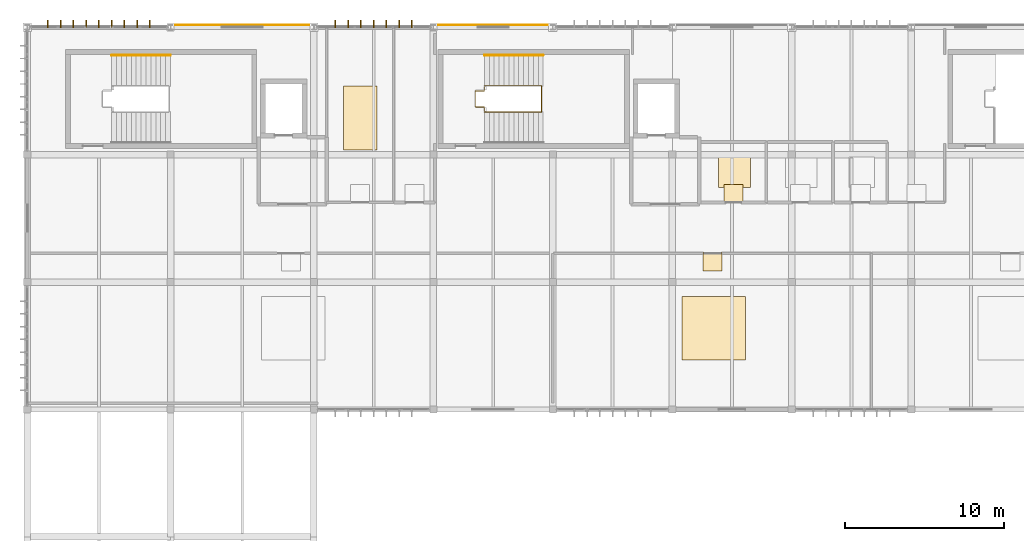
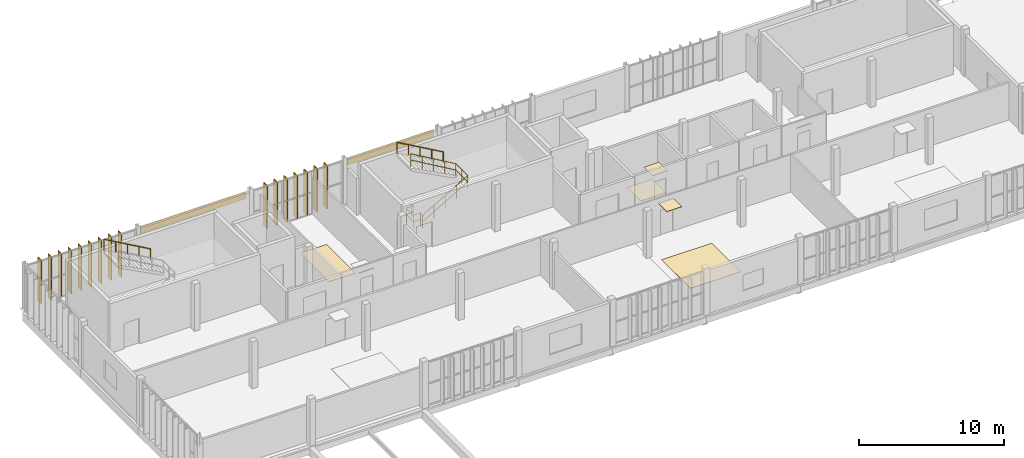
# One storey, part 24 of 26: 16 shading devices, 7 coverings, 4 railings.
"""IFC4 building model written with IfcOpenShell, lengths in metres."""

import ifcopenshell
import ifcopenshell.guid

model = None  # the IFC model being written
_history = None  # IfcOwnerHistory: only IFC2X3 demands one
_inside = {}  # id of a spatial element -> (the spatial element, [elements in it])
_under = {}  # id of a project, library or spatial element -> (it, [spatial elements below it])
_declared = {}  # id of a project -> (the project, [libraries it declares])
_typed = {}  # id of a type object -> (the type object, [elements of that type])
_made_of = {}  # id of a material, layer set ... -> (it, [elements and type objects made of it])


def new_model(schema):
    """Start an empty IFC model of exactly this schema.

    Asked for "IFC4X3", IfcOpenShell would pick the latest addendum, in which some entities
    have other attributes; the version numbers below select the first issue.
    IFC2X3 requires an IfcOwnerHistory on every rooted entity: one is made here for all.
    """
    global model, _history
    if schema == "IFC4X3":
        model = ifcopenshell.file(schema_version=(4, 3, 0, 0))
    else:
        model = ifcopenshell.file(schema=schema)
    _inside.clear()
    _under.clear()
    _declared.clear()
    _typed.clear()
    _made_of.clear()
    _history = None
    if model.schema == "IFC2X3":
        org = make("IfcOrganization", Name="unknown")
        user = make(
            "IfcPersonAndOrganization",
            ThePerson=make("IfcPerson", FamilyName="unknown"),
            TheOrganization=org,
        )
        app = make(
            "IfcApplication",
            ApplicationDeveloper=org,
            Version="unknown",
            ApplicationFullName="unknown",
            ApplicationIdentifier="unknown",
        )
        _history = make(
            "IfcOwnerHistory",
            OwningUser=user,
            OwningApplication=app,
            ChangeAction="ADDED",
            CreationDate=0,
        )
    return model


def make(cls, **values):
    """One entity of the class cls with the attributes given. An attribute that is None is left unset."""
    return model.create_entity(
        cls, **{name: value for name, value in values.items() if value is not None}
    )


def rooted(cls, **values):
    """An entity with a GlobalId (a new one), such as an element, a storey or a relation."""
    return make(cls, GlobalId=ifcopenshell.guid.new(), OwnerHistory=_history, **values)


def si_unit(unit_type, name, prefix=None):
    """IfcSIUnit, for example si_unit("LENGTHUNIT", "METRE", prefix="MILLI")."""
    return make("IfcSIUnit", UnitType=unit_type, Prefix=prefix, Name=name)


def assignment(units):
    """IfcUnitAssignment: the units of a project."""
    return None if units is None else make("IfcUnitAssignment", Units=units)


def point(xyz):
    """IfcCartesianPoint."""
    return None if xyz is None else make("IfcCartesianPoint", Coordinates=xyz)


def direction(xyz):
    """IfcDirection."""
    return None if xyz is None else make("IfcDirection", DirectionRatios=xyz)


def frame(location, z_axis=None, x_axis=None):
    """IfcAxis2Placement3D, a coordinate frame: its origin and axes. An axis left out is left unset."""
    return make(
        "IfcAxis2Placement3D",
        Location=point(location),
        Axis=direction(z_axis),
        RefDirection=direction(x_axis),
    )


def frame_2d(location, x_axis=None):
    """IfcAxis2Placement2D, a coordinate frame in the plane: its origin and x axis."""
    return make(
        "IfcAxis2Placement2D", Location=point(location), RefDirection=direction(x_axis)
    )


def origin():
    """The frame at (0, 0, 0) with its axes left unset."""
    return frame((0.0, 0.0, 0.0))


def origin_2d():
    """The frame at (0, 0) in the plane with its x axis left unset."""
    return frame_2d((0.0, 0.0))


def place(relative_to, where):
    """IfcLocalPlacement: puts the frame where relative to a parent placement (None: the world)."""
    return make(
        "IfcLocalPlacement", PlacementRelTo=relative_to, RelativePlacement=where
    )


def context(
    kind, dimensions, precision=None, world=None, true_north=None, identifier=None
):
    """IfcGeometricRepresentationContext, for example the 3D "Model" context."""
    return make(
        "IfcGeometricRepresentationContext",
        ContextIdentifier=identifier,
        ContextType=kind,
        CoordinateSpaceDimension=dimensions,
        Precision=precision,
        WorldCoordinateSystem=world,
        TrueNorth=true_north,
    )


def subcontext(parent, identifier, kind, view, scale=None):
    """IfcGeometricRepresentationSubContext, for example "Body" below "Model"."""
    return make(
        "IfcGeometricRepresentationSubContext",
        ContextIdentifier=identifier,
        ContextType=kind,
        ParentContext=parent,
        TargetScale=scale,
        TargetView=view,
    )


def project(units=None, contexts=None):
    """IfcProject with its units and contexts."""
    return rooted(
        "IfcProject",
        Name="project",
        RepresentationContexts=contexts,
        UnitsInContext=assignment(units),
    )


def spatial(cls, under=None, at=None, **own):
    """A site, building, storey or space (cls), placed at a placement, below another one or the project."""
    s = rooted(cls, ObjectPlacement=at, **own)
    if under is not None:
        _under.setdefault(under.id(), (under, []))[1].append(s)
    return s


def profile(cls, at=None, kind="AREA", **sizes):
    """A parametric profile (cls). Its sizes go by their IFC names, for example OverallWidth=200.0."""
    return make(cls, ProfileType=kind, Position=at, **sizes)


def rectangle(**sizes):
    """IfcRectangleProfileDef."""
    return profile("IfcRectangleProfileDef", **sizes)


def circle(**sizes):
    """IfcCircleProfileDef."""
    return profile("IfcCircleProfileDef", **sizes)


def extrude(swept, where, along, depth):
    """IfcExtrudedAreaSolid: the profile swept, set in the frame where, extruded along a direction by depth."""
    return make(
        "IfcExtrudedAreaSolid",
        SweptArea=swept,
        Position=where,
        ExtrudedDirection=direction(along),
        Depth=depth,
    )


def shape(context_of_items, identifier, shape_type, items):
    """IfcShapeRepresentation: the items that make up one representation, for example the "Body"."""
    return make(
        "IfcShapeRepresentation",
        ContextOfItems=context_of_items,
        RepresentationIdentifier=identifier,
        RepresentationType=shape_type,
        Items=items,
    )


def material(Name=None, Category=None):
    """IfcMaterial."""
    return make("IfcMaterial", Name=Name, Category=Category)


def layer(
    of_material, thickness, ventilated=None, Name=None, Category=None, Priority=None
):
    """IfcMaterialLayer: one layer of a wall or slab, of a material (None: an air gap)."""
    return make(
        "IfcMaterialLayer",
        Material=of_material,
        LayerThickness=thickness,
        IsVentilated=ventilated,
        Name=Name,
        Category=Category,
        Priority=Priority,
    )


def layer_set(layers, Name=None):
    """IfcMaterialLayerSet."""
    return make("IfcMaterialLayerSet", MaterialLayers=layers, LayerSetName=Name)


def material_profile(
    of_material, cross_section, Name=None, Category=None, Priority=None
):
    """IfcMaterialProfile: a cross section and its material."""
    return make(
        "IfcMaterialProfile",
        Name=Name,
        Material=of_material,
        Profile=cross_section,
        Priority=Priority,
        Category=Category,
    )


def profile_set(profiles, Name=None, composite=None):
    """IfcMaterialProfileSet."""
    return make(
        "IfcMaterialProfileSet",
        Name=Name,
        MaterialProfiles=profiles,
        CompositeProfile=composite,
    )


def made_of(thing, what):
    """Note that an element or type object is made of a material, layer set ...; save() writes the relation."""
    if what is not None:
        _made_of.setdefault(what.id(), (what, []))[1].append(thing)
    return thing


def type_object(cls, material=None, **own):
    """A type object (cls), such as IfcWallType, which elements share."""
    return made_of(rooted(cls, **own), material)


def element(
    cls,
    number,
    at=None,
    inside=None,
    cuts=None,
    type_object=None,
    material=None,
    context=None,
    identifier="Body",
    shape_type=None,
    held_by="IfcProductDefinitionShape",
    body=None,
    shapes=None,
    **own,
):
    """One element of the class cls, such as IfcWall. Its Tag is "e" and its number.

    at: its placement. inside: the storey or other place that contains it. cuts: it is an
    opening in that element (IfcRelVoidsElement). A single representation is given by context,
    identifier, shape_type and body (its items); several are given by shapes. held_by: the class
    of the entity that holds the representations. save() writes the other relations.
    """
    e = rooted(cls, Tag="e%d" % number, ObjectPlacement=at, **own)
    if body is not None:
        shapes = [shape(context, identifier, shape_type, body)]
    if shapes is not None:
        e.Representation = make(held_by, Representations=shapes)
    if inside is not None:
        _inside.setdefault(inside.id(), (inside, []))[1].append(e)
    if cuts is not None:
        rooted(
            "IfcRelVoidsElement", RelatingBuildingElement=cuts, RelatedOpeningElement=e
        )
    if type_object is not None:
        _typed.setdefault(type_object.id(), (type_object, []))[1].append(e)
    return made_of(e, material)


def aggregate(whole, parts):
    """IfcRelAggregates: a whole, such as a stair, and the parts it consists of."""
    return rooted("IfcRelAggregates", RelatingObject=whole, RelatedObjects=parts)


def save(model, path):
    """Write the relations noted so far, then the file.

    IfcRelAggregates (storeys below a building ...), IfcRelContainedInSpatialStructure (elements
    in a storey), IfcRelDefinesByType, IfcRelAssociatesMaterial and IfcRelDeclares: one each for
    every whole, place, type object, material and project.
    """
    for whole, parts in _under.values():
        aggregate(whole, parts)
    for where, things in _inside.values():
        rooted(
            "IfcRelContainedInSpatialStructure",
            RelatedElements=things,
            RelatingStructure=where,
        )
    for kind, things in _typed.values():
        rooted("IfcRelDefinesByType", RelatedObjects=things, RelatingType=kind)
    for what, things in _made_of.values():
        rooted("IfcRelAssociatesMaterial", RelatedObjects=things, RelatingMaterial=what)
    for by, libraries in _declared.values():
        rooted("IfcRelDeclares", RelatingContext=by, RelatedDefinitions=libraries)
    model.write(path)


model = new_model("IFC4")

# Units and contexts
model_context = context("Model", 3, precision=1e-05, world=origin(), true_north=direction((0.0, 1.0)))
body_context = subcontext(model_context, "Body", "Model", "MODEL_VIEW")
ifc_project = project(units=[si_unit("LENGTHUNIT", "METRE"), si_unit("AREAUNIT", "SQUARE_METRE"), si_unit("VOLUMEUNIT", "CUBIC_METRE"), si_unit("PLANEANGLEUNIT", "RADIAN"), si_unit("MASSUNIT", "GRAM", prefix="KILO")], contexts=[model_context])

# Site, building, storey
site_placement = place(None, origin())
site = spatial("IfcSite", under=ifc_project, at=site_placement, CompositionType="ELEMENT")
building_placement = place(site_placement, origin())
building = spatial("IfcBuilding", under=site, at=building_placement, Name="Vourika Railside Aquatics Centre", CompositionType="ELEMENT")
storey_placement = place(building_placement, frame((0.0, 0.0, 17.699951171875)))
storey = spatial("IfcBuildingStorey", under=building, at=storey_placement, Name="L04", CompositionType="ELEMENT", Elevation=17.699951171875)

# Coverings
ifc_material_1 = material(Name="Perforated moisture-resistant acoustic gypsum ceiling")
ifc_layer_1 = layer(ifc_material_1, 0.02490234375, Name="COV-CEIL-25")
ifc_layer_set_1 = layer_set([ifc_layer_1], Name="Perforated moisture-resistant acoustic gypsum ceiling")
covering_type_1 = type_object("IfcCoveringType", Name="COV-CEIL-25", PredefinedType="CEILING", material=ifc_layer_set_1)
for number, where, z_axis, x_axis, name in (
    (1, (62.344970703125, 105.52001953125, 2.6376953125), (0.0, 0.0, 1.0), (1.0, 0.0, 0.0), "Academy Male WC Acoustic Ceiling Panel"),
    (2, (61.030029296875, 101.280029296875, 2.6376953125), (0.0, 0.0, 1.0), (1.0, 0.0, 0.0), "Sports Nutrition Teaching Kitchen Acoustic Ceiling Panel"),
):
    element("IfcCovering", number, at=place(storey_placement, frame(where, z_axis=z_axis, x_axis=x_axis)), inside=storey, type_object=covering_type_1, Name=name, PredefinedType="CEILING", context=body_context, shape_type="SweptSolid", body=[
        extrude(rectangle(XDim=1.199951171875, YDim=1.199951171875, at=origin_2d()), origin(), (0.0, 0.0, 1.0), 0.02490234375),
    ])
ifc_material_2 = material(Name="Bronze-anodized aluminium rainscreen", Category="aluminium")
ifc_layer_2 = layer(ifc_material_2, 0.044921875, Name="COV-CLAD-45")
ifc_layer_set_2 = layer_set([ifc_layer_2], Name="Bronze-anodized aluminium rainscreen")
covering_type_2 = type_object("IfcCoveringType", Name="COV-CLAD-45", PredefinedType="CLADDING", material=ifc_layer_set_2)
covering_1_placement = place(storey_placement, frame((31.5, 116.14501953125, 3.044921875), z_axis=(0.0, 0.0, 1.0), x_axis=(-1.0, 0.0, 0.0)))
element("IfcCovering", 3, at=covering_1_placement, inside=storey, type_object=covering_type_2, Name="Perforated Bronze Rainscreen Band CL-069", PredefinedType="CLADDING", context=body_context, shape_type="SweptSolid", body=[
    extrude(rectangle(XDim=8.39990234375, YDim=0.044921875, at=origin_2d()), origin(), (0.0, 0.0, 1.0), 0.550048828125),
])
covering_2_placement = place(storey_placement, frame((47.25, 116.14501953125, 3.044921875), z_axis=(0.0, 0.0, 1.0), x_axis=(-1.0, 0.0, 0.0)))
element("IfcCovering", 4, at=covering_2_placement, inside=storey, type_object=covering_type_2, Name="Perforated Bronze Rainscreen Band CL-070", PredefinedType="CLADDING", context=body_context, shape_type="SweptSolid", body=[
    extrude(rectangle(XDim=6.89990234375, YDim=0.044921875, at=origin_2d()), origin(), (0.0, 0.0, 1.0), 0.550048828125),
])
ifc_material_3 = material(Name="Slip-resistant aqua ceramic sports flooring")
ifc_layer_3 = layer(ifc_material_3, 0.02001953125, Name="COV-FLOR-20")
ifc_layer_set_3 = layer_set([ifc_layer_3], Name="Slip-resistant aqua ceramic sports flooring")
covering_type_3 = type_object("IfcCoveringType", Name="COV-FLOR-20", PredefinedType="FLOORING", material=ifc_layer_set_3)
covering_3_placement = place(storey_placement, frame((62.39990234375, 106.89990234375, 0.0), z_axis=(0.0, 0.0, 1.0), x_axis=(1.0, 0.0, 0.0)))
element("IfcCovering", 5, at=covering_3_placement, inside=storey, type_object=covering_type_3, Name="Academy Male WC Sports Flooring Panel", PredefinedType="FLOORING", context=body_context, shape_type="SweptSolid", body=[
    extrude(rectangle(XDim=2.0, YDim=1.89990234375, at=origin_2d()), origin(), (0.0, 0.0, 1.0), 0.02001953125),
])
covering_4_placement = place(storey_placement, frame((61.10009765625, 97.10009765625, 0.0), z_axis=(0.0, 0.0, 1.0), x_axis=(1.0, 0.0, 0.0)))
element("IfcCovering", 6, at=covering_4_placement, inside=storey, type_object=covering_type_3, Name="Sports Nutrition Teaching Kitchen Sports Flooring Panel", PredefinedType="FLOORING", context=body_context, shape_type="SweptSolid", body=[
    extrude(rectangle(XDim=4.0, YDim=4.0, at=origin_2d()), origin(), (0.0, 0.0, 1.0), 0.02001953125),
])
covering_5_placement = place(storey_placement, frame((38.89990234375, 110.300048828125, 0.0), z_axis=(0.0, 0.0, 1.0), x_axis=(1.0, 0.0, 0.0)))
element("IfcCovering", 7, at=covering_5_placement, inside=storey, type_object=covering_type_3, Name="National Coaching Classroom West Sports Flooring Panel", PredefinedType="FLOORING", context=body_context, shape_type="SweptSolid", body=[
    extrude(rectangle(XDim=2.10009765625, YDim=4.0, at=origin_2d()), origin(), (0.0, 0.0, 1.0), 0.02001953125),
])

# Railings
ifc_material_4 = material(Name="Duplex stainless steel EN 1.4462", Category="steel")
railing_type_1 = type_object("IfcRailingType", Name="RL-HAND-920", PredefinedType="HANDRAIL", material=ifc_material_4)
for number, where, name in (
    (8, (26.99609375, 114.239990234375, 2.10009765625), "Protected Exit Stair Core ST01 Upper Wall Handrail (L04)"),
    (9, (50.39599609375, 114.239990234375, 2.10009765625), "Protected Exit Stair Core ST02 Upper Wall Handrail (L04)"),
):
    element("IfcRailing", number, at=place(storey_placement, frame(where)), inside=storey, type_object=railing_type_1, Name=name, PredefinedType="HANDRAIL", context=body_context, shape_type="SweptSolid", body=[
        extrude(circle(Radius=0.02392578125, at=origin_2d()), frame((0.0, 0.0, 0.89599609375), z_axis=(-0.869473936924, 0.0, 0.493978818382), x_axis=(0.0, -1.0, 0.0)), (0.0, 0.0, 1.0), 4.2509765625),
        extrude(circle(Radius=0.02099609375, at=origin_2d()), origin(), (0.0, 0.0, 1.0), 0.871826171875),
        extrude(circle(Radius=0.02099609375, at=origin_2d()), frame((-0.924072265625, 0.0, 0.52490234375)), (0.0, 0.0, 1.0), 0.871826171875),
        extrude(circle(Radius=0.02099609375, at=origin_2d()), frame((-1.84814453125, 0.0, 1.0498046875)), (0.0, 0.0, 1.0), 0.871826171875),
        extrude(circle(Radius=0.02099609375, at=origin_2d()), frame((-2.77197265625, 0.0, 1.574951171875)), (0.0, 0.0, 1.0), 0.871826171875),
        extrude(circle(Radius=0.02099609375, at=origin_2d()), frame((-3.696044921875, 0.0, 2.099853515625)), (0.0, 0.0, 1.0), 0.871826171875),
    ])
railing_type_2 = type_object("IfcRailingType", Name="RL-STAIR-1120", PredefinedType="BALUSTRADE", material=ifc_material_4)
railing_1_placement = place(storey_placement, frame((46.699951171875, 110.75, 0.0)))
element("IfcRailing", 10, at=railing_1_placement, inside=storey, type_object=railing_type_2, Name="Protected Exit Stair Core ST02 Well Edge Guard (L04)", PredefinedType="BALUSTRADE", context=body_context, shape_type="SweptSolid", body=[
    extrude(circle(Radius=0.02392578125, at=origin_2d()), frame((0.0, 0.0, 1.09619140625), z_axis=(0.0, 1.0, 0.0), x_axis=(-1.0, 0.0, 0.0)), (0.0, 0.0, 1.0), 0.25),
    extrude(circle(Radius=0.02392578125, at=origin_2d()), frame((0.0, 0.0, 0.56005859375), z_axis=(0.0, 1.0, 0.0), x_axis=(-1.0, 0.0, 0.0)), (0.0, 0.0, 1.0), 0.25),
    extrude(circle(Radius=0.02392578125, at=origin_2d()), frame((0.0, 0.25, 1.09619140625), z_axis=(-1.0, 0.0, 0.0), x_axis=(0.0, -1.0, 0.0)), (0.0, 0.0, 1.0), 0.570068359375),
    extrude(circle(Radius=0.02392578125, at=origin_2d()), frame((0.0, 0.25, 0.56005859375), z_axis=(-1.0, 0.0, 0.0), x_axis=(0.0, -1.0, 0.0)), (0.0, 0.0, 1.0), 0.570068359375),
    extrude(circle(Radius=0.02392578125, at=origin_2d()), frame((-0.570068359375, 0.25, 1.09619140625), z_axis=(0.0, 1.0, 0.0), x_axis=(-1.0, 0.0, 0.0)), (0.0, 0.0, 1.0), 1.0),
    extrude(circle(Radius=0.02392578125, at=origin_2d()), frame((-0.570068359375, 0.25, 0.56005859375), z_axis=(0.0, 1.0, 0.0), x_axis=(-1.0, 0.0, 0.0)), (0.0, 0.0, 1.0), 1.0),
    extrude(circle(Radius=0.02392578125, at=origin_2d()), frame((-0.570068359375, 1.25, 1.09619140625), z_axis=(1.0, 0.0, 0.0), x_axis=(0.0, 1.0, 0.0)), (0.0, 0.0, 1.0), 0.570068359375),
    extrude(circle(Radius=0.02392578125, at=origin_2d()), frame((-0.570068359375, 1.25, 0.56005859375), z_axis=(1.0, 0.0, 0.0), x_axis=(0.0, 1.0, 0.0)), (0.0, 0.0, 1.0), 0.570068359375),
    extrude(circle(Radius=0.02392578125, at=origin_2d()), frame((0.0, 1.25, 1.09619140625), z_axis=(0.0, 1.0, 0.0), x_axis=(-1.0, 0.0, 0.0)), (0.0, 0.0, 1.0), 0.25),
    extrude(circle(Radius=0.02392578125, at=origin_2d()), frame((0.0, 1.25, 0.56005859375), z_axis=(0.0, 1.0, 0.0), x_axis=(-1.0, 0.0, 0.0)), (0.0, 0.0, 1.0), 0.25),
    extrude(circle(Radius=0.02099609375, at=origin_2d()), origin(), (0.0, 0.0, 1.0), 1.072021484375),
    extrude(circle(Radius=0.02099609375, at=origin_2d()), frame((0.0, 0.25, 0.0)), (0.0, 0.0, 1.0), 1.072021484375),
    extrude(circle(Radius=0.02099609375, at=origin_2d()), frame((-0.570068359375, 0.25, 0.0)), (0.0, 0.0, 1.0), 1.072021484375),
    extrude(circle(Radius=0.02099609375, at=origin_2d()), frame((-0.570068359375, 1.25, 0.0)), (0.0, 0.0, 1.0), 1.072021484375),
    extrude(circle(Radius=0.02099609375, at=origin_2d()), frame((0.0, 1.25, 0.0)), (0.0, 0.0, 1.0), 1.072021484375),
    extrude(circle(Radius=0.02099609375, at=origin_2d()), frame((0.0, 1.5, 0.0)), (0.0, 0.0, 1.0), 1.072021484375),
])
railing_2_placement = place(storey_placement, frame((46.699951171875, 110.679931640625, 0.0)))
element("IfcRailing", 11, at=railing_2_placement, inside=storey, type_object=railing_type_2, Name="Protected Exit Stair Core ST02 Center Well Guard (L04)", PredefinedType="BALUSTRADE", context=body_context, shape_type="SweptSolid", body=[
    extrude(circle(Radius=0.02392578125, at=origin_2d()), frame((0.0, 0.0, 1.09619140625), z_axis=(0.863521496458, 0.0, 0.504312031539), x_axis=(0.0, 1.0, 0.0)), (0.0, 0.0, 1.0), 4.164306640625),
    extrude(circle(Radius=0.02392578125, at=origin_2d()), frame((0.0, 0.0, 0.56005859375), z_axis=(0.863521496458, 0.0, 0.504312031539), x_axis=(0.0, 1.0, 0.0)), (0.0, 0.0, 1.0), 4.164306640625),
    extrude(circle(Radius=0.02392578125, at=origin_2d()), frame((3.595947265625, 0.0, 3.1962890625), z_axis=(0.0, 1.0, 0.0), x_axis=(-1.0, 0.0, 0.0)), (0.0, 0.0, 1.0), 1.64013671875),
    extrude(circle(Radius=0.02392578125, at=origin_2d()), frame((3.595947265625, 0.0, 2.66015625), z_axis=(0.0, 1.0, 0.0), x_axis=(-1.0, 0.0, 0.0)), (0.0, 0.0, 1.0), 1.64013671875),
    extrude(circle(Radius=0.02392578125, at=origin_2d()), frame((3.595947265625, 1.64013671875, 3.1962890625), z_axis=(-0.863547027374, 0.0, 0.504268313018), x_axis=(0.0, -1.0, 0.0)), (0.0, 0.0, 1.0), 4.1640625),
    extrude(circle(Radius=0.02392578125, at=origin_2d()), frame((3.595947265625, 1.64013671875, 2.66015625), z_axis=(-0.863547027374, 0.0, 0.504268313018), x_axis=(0.0, -1.0, 0.0)), (0.0, 0.0, 1.0), 4.1640625),
    extrude(circle(Radius=0.02099609375, at=origin_2d()), origin(), (0.0, 0.0, 1.0), 1.072021484375),
    extrude(circle(Radius=0.02099609375, at=origin_2d()), frame((0.89892578125, 0.0, 0.52490234375)), (0.0, 0.0, 1.0), 1.072021484375),
    extrude(circle(Radius=0.02099609375, at=origin_2d()), frame((1.7978515625, 0.0, 1.050048828125)), (0.0, 0.0, 1.0), 1.072021484375),
    extrude(circle(Radius=0.02099609375, at=origin_2d()), frame((2.697021484375, 0.0, 1.5751953125)), (0.0, 0.0, 1.0), 1.072021484375),
    extrude(circle(Radius=0.02099609375, at=origin_2d()), frame((3.595947265625, 0.0, 2.10009765625)), (0.0, 0.0, 1.0), 1.072021484375),
    extrude(circle(Radius=0.02099609375, at=origin_2d()), frame((3.595947265625, 0.820068359375, 2.10009765625)), (0.0, 0.0, 1.0), 1.072021484375),
    extrude(circle(Radius=0.02099609375, at=origin_2d()), frame((3.595947265625, 1.64013671875, 2.10009765625)), (0.0, 0.0, 1.0), 1.072021484375),
    extrude(circle(Radius=0.02099609375, at=origin_2d()), frame((2.697021484375, 1.64013671875, 2.625)), (0.0, 0.0, 1.0), 1.072021484375),
    extrude(circle(Radius=0.02099609375, at=origin_2d()), frame((1.7978515625, 1.64013671875, 3.14990234375)), (0.0, 0.0, 1.0), 1.072021484375),
    extrude(circle(Radius=0.02099609375, at=origin_2d()), frame((0.89892578125, 1.64013671875, 3.675048828125)), (0.0, 0.0, 1.0), 1.072021484375),
    extrude(circle(Radius=0.02099609375, at=origin_2d()), frame((0.0, 1.64013671875, 4.199951171875)), (0.0, 0.0, 1.0), 1.072021484375),
])

# Shading devices
ifc_material_5 = material(Name="Bronze-anodized extruded aluminium", Category="aluminium")
ifc_material_profile = material_profile(ifc_material_5, rectangle(XDim=0.06005859375, YDim=0.47998046875, at=origin_2d()), Name="ALU-FIN 60x480")
ifc_profile_set = profile_set([ifc_material_profile], Name="Bronze-anodized extruded aluminium")
shading_device_type = type_object("IfcShadingDeviceType", Name="SHD-FIN-F48A", PredefinedType="USERDEFINED", material=ifc_profile_set)
for number, where, z_axis, x_axis, name in (
    (12, (19.300048828125, 116.215087890625, 0.0), (0.0, 0.0, 1.0), (1.0, 0.0, 0.0), "Vertical Solar Fin VSF-1116"),
    (13, (20.10009765625, 116.215087890625, 0.0), (0.0, 0.0, 1.0), (1.0, 0.0, 0.0), "Vertical Solar Fin VSF-1117"),
    (14, (20.89990234375, 116.215087890625, 0.0), (0.0, 0.0, 1.0), (1.0, 0.0, 0.0), "Vertical Solar Fin VSF-1118"),
    (15, (21.699951171875, 116.215087890625, 0.0), (0.0, 0.0, 1.0), (1.0, 0.0, 0.0), "Vertical Solar Fin VSF-1119"),
    (16, (22.5, 116.215087890625, 0.0), (0.0, 0.0, 1.0), (1.0, 0.0, 0.0), "Vertical Solar Fin VSF-1120"),
    (17, (23.300048828125, 116.215087890625, 0.0), (0.0, 0.0, 1.0), (1.0, 0.0, 0.0), "Vertical Solar Fin VSF-1121"),
    (18, (24.10009765625, 116.215087890625, 0.0), (0.0, 0.0, 1.0), (1.0, 0.0, 0.0), "Vertical Solar Fin VSF-1122"),
    (19, (24.89990234375, 116.215087890625, 0.0), (0.0, 0.0, 1.0), (1.0, 0.0, 0.0), "Vertical Solar Fin VSF-1123"),
    (20, (25.699951171875, 116.215087890625, 0.0), (0.0, 0.0, 1.0), (1.0, 0.0, 0.0), "Vertical Solar Fin VSF-1124"),
    (21, (37.35009765625, 116.215087890625, 0.0), (0.0, 0.0, 1.0), (1.0, 0.0, 0.0), "Vertical Solar Fin VSF-1125"),
    (22, (38.14990234375, 116.215087890625, 0.0), (0.0, 0.0, 1.0), (1.0, 0.0, 0.0), "Vertical Solar Fin VSF-1126"),
    (23, (38.949951171875, 116.215087890625, 0.0), (0.0, 0.0, 1.0), (1.0, 0.0, 0.0), "Vertical Solar Fin VSF-1127"),
    (24, (39.75, 116.215087890625, 0.0), (0.0, 0.0, 1.0), (1.0, 0.0, 0.0), "Vertical Solar Fin VSF-1128"),
    (25, (40.550048828125, 116.215087890625, 0.0), (0.0, 0.0, 1.0), (1.0, 0.0, 0.0), "Vertical Solar Fin VSF-1129"),
    (26, (41.35009765625, 116.215087890625, 0.0), (0.0, 0.0, 1.0), (1.0, 0.0, 0.0), "Vertical Solar Fin VSF-1130"),
    (27, (42.14990234375, 116.215087890625, 0.0), (0.0, 0.0, 1.0), (1.0, 0.0, 0.0), "Vertical Solar Fin VSF-1131"),
):
    element("IfcShadingDevice", number, at=place(storey_placement, frame(where, z_axis=z_axis, x_axis=x_axis)), inside=storey, type_object=shading_device_type, Name=name, ObjectType="FIN", PredefinedType="USERDEFINED", context=body_context, shape_type="SweptSolid", body=[
        extrude(rectangle(XDim=0.06005859375, YDim=0.47998046875, at=origin_2d()), origin(), (0.0, 0.0, 1.0), 3.670166015625),
    ])

save(model, "model.ifc")
